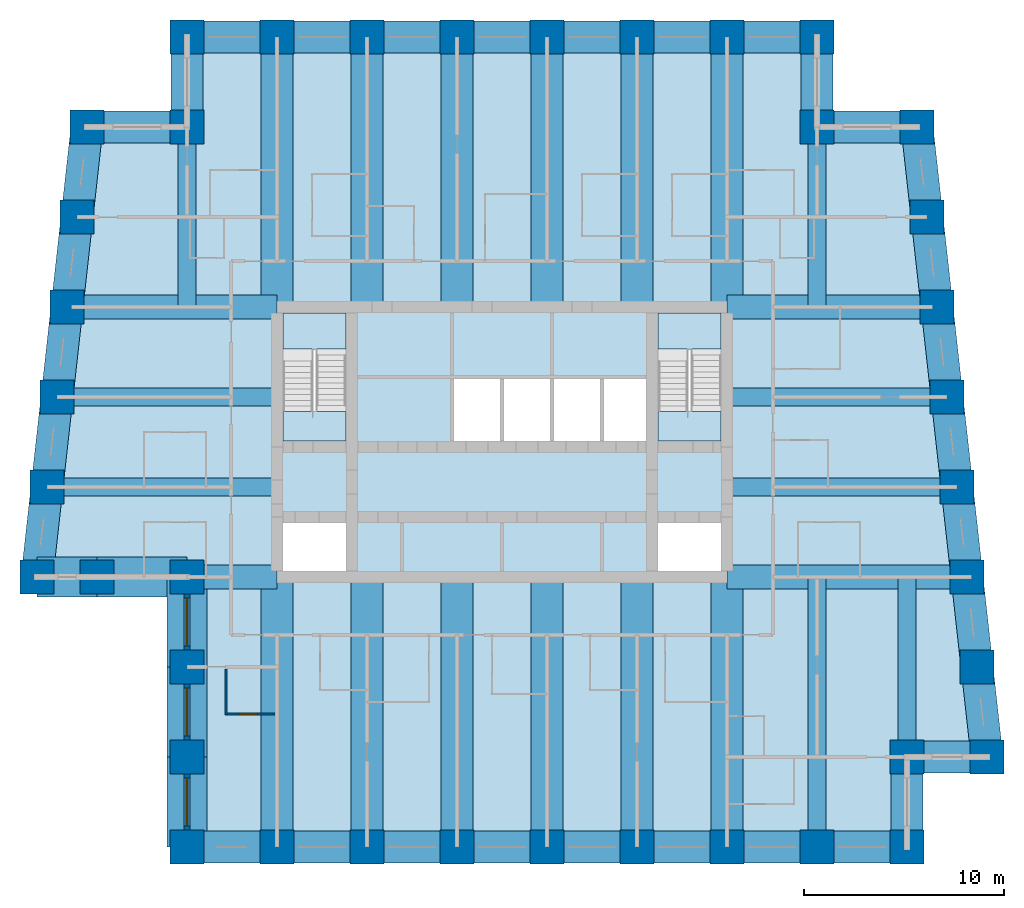
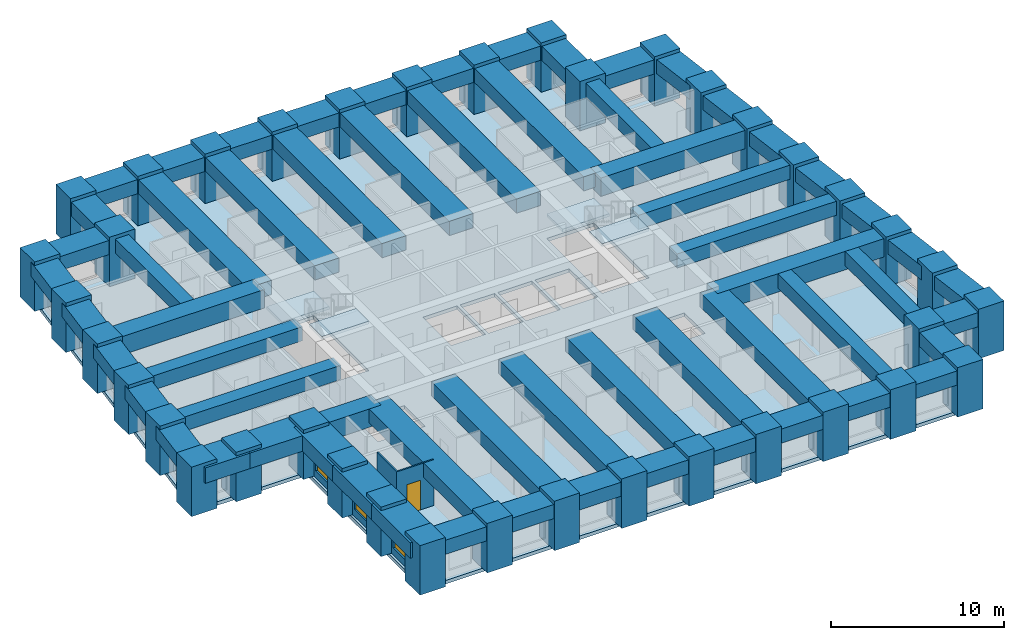
# One storey, part 1 of 8: 62 beams, 38 columns, 5 slabs, 3 walls, 3 windows, 1 door, 4 openings, 2 elements without a shape of their own.
"""IFC4 building model written with IfcOpenShell, lengths in metres."""

from ifc_helpers import new_model, si_unit, direction, frame, frame_2d, origin, origin_2d, place, context, subcontext, project, spatial, polyline, rectangle, outline, extrude, material, layer, layer_set, material_profile, profile_set, type_object, element, fill, aggregate, save


model = new_model("IFC4")

# Units and contexts
model_context = context("Model", 3, precision=1e-05, world=origin(), true_north=direction((0.0, 1.0)))
body_context = subcontext(model_context, "Body", "Model", "MODEL_VIEW")
ifc_project = project(units=[si_unit("LENGTHUNIT", "METRE"), si_unit("AREAUNIT", "SQUARE_METRE"), si_unit("VOLUMEUNIT", "CUBIC_METRE"), si_unit("PLANEANGLEUNIT", "RADIAN"), si_unit("MASSUNIT", "GRAM", prefix="KILO")], contexts=[model_context])

# Site, building, storey
site_placement = place(None, origin())
site = spatial("IfcSite", under=ifc_project, at=site_placement, CompositionType="ELEMENT")
building_placement = place(site_placement, origin())
building = spatial("IfcBuilding", under=site, at=building_placement, Name="Kilele Tower Hotel", CompositionType="ELEMENT")
storey_placement = place(building_placement, frame((0.0, 0.0, 165.89990234375)))
storey = spatial("IfcBuildingStorey", under=building, at=storey_placement, Name="L42", CompositionType="ELEMENT", Elevation=165.89990234375)

# Columns
ifc_material_1 = material(Name="Concrete C60/75", Category="concrete")
ifc_material_profile_1 = material_profile(ifc_material_1, rectangle(XDim=1.699951171875, YDim=1.699951171875, at=origin_2d()))
ifc_profile_set_1 = profile_set([ifc_material_profile_1], Name="Concrete C60/75")
column_type = type_object("IfcColumnType", Name="Tube column RC 1700x1700 C60/75", PredefinedType="COLUMN", material=ifc_profile_set_1)
for number, where, z_axis, x_axis, name in (
    (1, (1.5, 13.5, 0.0), (0.0, 0.0, 1.0), (1.0, 0.0, 0.0), "Column TC4 L42"),
    (2, (4.5, 13.5, 0.0), (0.0, 0.0, 1.0), (1.0, 0.0, 0.0), "Column TC4 L42"),
    (3, (9.0, 13.5, 0.0), (0.0, 0.0, 1.0), (1.0, 0.0, 0.0), "Column TC4 L42"),
    (4, (9.0, 9.0, 0.0), (0.0, 0.0, 1.0), (1.0, 0.0, 0.0), "Column TC4 L42"),
    (5, (9.0, 4.5, 0.0), (0.0, 0.0, 1.0), (1.0, 0.0, 0.0), "Column TC4 L42"),
    (6, (9.0, 0.0, 0.0), (0.0, 0.0, 1.0), (1.0, 0.0, 0.0), "Column TC4 L42"),
    (7, (13.5, 0.0, 0.0), (0.0, 0.0, 1.0), (1.0, 0.0, 0.0), "Column TC4 L42"),
    (8, (18.0, 0.0, 0.0), (0.0, 0.0, 1.0), (1.0, 0.0, 0.0), "Column TC4 L42"),
    (9, (22.5, 0.0, 0.0), (0.0, 0.0, 1.0), (1.0, 0.0, 0.0), "Column TC4 L42"),
    (10, (27.0, 0.0, 0.0), (0.0, 0.0, 1.0), (1.0, 0.0, 0.0), "Column TC4 L42"),
    (11, (31.5, 0.0, 0.0), (0.0, 0.0, 1.0), (1.0, 0.0, 0.0), "Column TC4 L42"),
    (12, (36.0, 0.0, 0.0), (0.0, 0.0, 1.0), (1.0, 0.0, 0.0), "Column TC4 L42"),
    (13, (40.5, 0.0, 0.0), (0.0, 0.0, 1.0), (1.0, 0.0, 0.0), "Column TC4 L42"),
    (14, (45.0, 0.0, 0.0), (0.0, 0.0, 1.0), (1.0, 0.0, 0.0), "Column TC4 L42"),
    (15, (45.0, 4.5, 0.0), (0.0, 0.0, 1.0), (1.0, 0.0, 0.0), "Column TC4 L42"),
    (16, (49.0, 4.5, 0.0), (0.0, 0.0, 1.0), (1.0, 0.0, 0.0), "Column TC4 L42"),
    (17, (48.5, 9.0, 0.0), (0.0, 0.0, 1.0), (1.0, 0.0, 0.0), "Column TC4 L42"),
    (18, (48.0, 13.5, 0.0), (0.0, 0.0, 1.0), (1.0, 0.0, 0.0), "Column TC4 L42"),
    (19, (47.5, 18.0, 0.0), (0.0, 0.0, 1.0), (1.0, 0.0, 0.0), "Column TC4 L42"),
    (20, (47.0, 22.5, 0.0), (0.0, 0.0, 1.0), (1.0, 0.0, 0.0), "Column TC4 L42"),
    (21, (46.5, 27.0, 0.0), (0.0, 0.0, 1.0), (1.0, 0.0, 0.0), "Column TC4 L42"),
    (22, (46.0, 31.5, 0.0), (0.0, 0.0, 1.0), (1.0, 0.0, 0.0), "Column TC4 L42"),
    (23, (45.5, 36.0, 0.0), (0.0, 0.0, 1.0), (1.0, 0.0, 0.0), "Column TC4 L42"),
    (24, (40.5, 36.0, 0.0), (0.0, 0.0, 1.0), (1.0, 0.0, 0.0), "Column TC4 L42"),
    (25, (40.5, 40.5, 0.0), (0.0, 0.0, 1.0), (1.0, 0.0, 0.0), "Column TC4 L42"),
    (26, (36.0, 40.5, 0.0), (0.0, 0.0, 1.0), (1.0, 0.0, 0.0), "Column TC4 L42"),
    (27, (31.5, 40.5, 0.0), (0.0, 0.0, 1.0), (1.0, 0.0, 0.0), "Column TC4 L42"),
    (28, (27.0, 40.5, 0.0), (0.0, 0.0, 1.0), (1.0, 0.0, 0.0), "Column TC4 L42"),
    (29, (22.5, 40.5, 0.0), (0.0, 0.0, 1.0), (1.0, 0.0, 0.0), "Column TC4 L42"),
    (30, (18.0, 40.5, 0.0), (0.0, 0.0, 1.0), (1.0, 0.0, 0.0), "Column TC4 L42"),
    (31, (13.5, 40.5, 0.0), (0.0, 0.0, 1.0), (1.0, 0.0, 0.0), "Column TC4 L42"),
    (32, (9.0, 40.5, 0.0), (0.0, 0.0, 1.0), (1.0, 0.0, 0.0), "Column TC4 L42"),
    (33, (9.0, 36.0, 0.0), (0.0, 0.0, 1.0), (1.0, 0.0, 0.0), "Column TC4 L42"),
    (34, (4.0, 36.0, 0.0), (0.0, 0.0, 1.0), (1.0, 0.0, 0.0), "Column TC4 L42"),
    (35, (3.5, 31.5, 0.0), (0.0, 0.0, 1.0), (1.0, 0.0, 0.0), "Column TC4 L42"),
    (36, (3.0, 27.0, 0.0), (0.0, 0.0, 1.0), (1.0, 0.0, 0.0), "Column TC4 L42"),
    (37, (2.5, 22.5, 0.0), (0.0, 0.0, 1.0), (1.0, 0.0, 0.0), "Column TC4 L42"),
    (38, (2.0, 18.0, 0.0), (0.0, 0.0, 1.0), (1.0, 0.0, 0.0), "Column TC4 L42"),
):
    element("IfcColumn", number, at=place(storey_placement, frame(where, z_axis=z_axis, x_axis=x_axis)), inside=storey, type_object=column_type, Name=name, PredefinedType="COLUMN", context=body_context, shape_type="SweptSolid", body=[
        extrude(rectangle(XDim=1.699951171875, YDim=1.699951171875, at=origin_2d()), origin(), (0.0, 0.0, 1.0), 3.5),
    ])

# Beams
ifc_material_2 = material(Name="Concrete C60/75", Category="concrete")
ifc_material_profile_2 = material_profile(ifc_material_2, rectangle(XDim=1.60009765625, YDim=1.0, at=origin_2d()))
ifc_profile_set_2 = profile_set([ifc_material_profile_2], Name="Concrete C60/75")
beam_type_1 = type_object("IfcBeamType", Name="Beam RC 1600x1000 C60/75", PredefinedType="BEAM", material=ifc_profile_set_2)
for number, where, z_axis, x_axis, name in (
    (39, (13.5, 0.0, 2.75), (0.0, 1.0, 0.0), (-1.0, 0.0, 0.0), "Beam BC1 level L43"),
    (40, (18.0, 0.0, 2.75), (0.0, 1.0, 0.0), (-1.0, 0.0, 0.0), "Beam BC1 level L43"),
    (41, (22.5, 0.0, 2.75), (0.0, 1.0, 0.0), (-1.0, 0.0, 0.0), "Beam BC1 level L43"),
    (42, (27.0, 0.0, 2.75), (0.0, 1.0, 0.0), (-1.0, 0.0, 0.0), "Beam BC1 level L43"),
    (43, (31.5, 0.0, 2.75), (0.0, 1.0, 0.0), (-1.0, 0.0, 0.0), "Beam BC1 level L43"),
    (44, (36.0, 0.0, 2.75), (0.0, 1.0, 0.0), (-1.0, 0.0, 0.0), "Beam BC1 level L43"),
    (45, (36.0, 40.5, 2.75), (0.0, -1.0, 0.0), (1.0, 0.0, 0.0), "Beam BC1 level L43"),
    (46, (31.5, 40.5, 2.75), (0.0, -1.0, 0.0), (1.0, 0.0, 0.0), "Beam BC1 level L43"),
    (47, (27.0, 40.5, 2.75), (0.0, -1.0, 0.0), (1.0, 0.0, 0.0), "Beam BC1 level L43"),
    (48, (22.5, 40.5, 2.75), (0.0, -1.0, 0.0), (1.0, 0.0, 0.0), "Beam BC1 level L43"),
    (49, (18.0, 40.5, 2.75), (0.0, -1.0, 0.0), (1.0, 0.0, 0.0), "Beam BC1 level L43"),
    (50, (13.5, 40.5, 2.75), (0.0, -1.0, 0.0), (1.0, 0.0, 0.0), "Beam BC1 level L43"),
):
    element("IfcBeam", number, at=place(storey_placement, frame(where, z_axis=z_axis, x_axis=x_axis)), inside=storey, type_object=beam_type_1, Name=name, PredefinedType="BEAM", context=body_context, shape_type="SweptSolid", body=[
        extrude(rectangle(XDim=1.60009765625, YDim=1.0, at=origin_2d()), origin(), (0.0, 0.0, 1.0), 13.5),
    ])
ifc_material_3 = material(Name="Concrete C60/75", Category="concrete")
ifc_material_profile_3 = material_profile(ifc_material_3, rectangle(XDim=0.89990234375, YDim=1.0, at=origin_2d()))
ifc_profile_set_3 = profile_set([ifc_material_profile_3], Name="Concrete C60/75")
beam_type_2 = type_object("IfcBeamType", Name="Beam RC 900x1000 C60/75", PredefinedType="BEAM", material=ifc_profile_set_3)
beam_1_placement = place(storey_placement, frame((40.5, 0.0, 2.75), z_axis=(0.0, 1.0, 0.0), x_axis=(-1.0, 0.0, 0.0)))
element("IfcBeam", 51, at=beam_1_placement, inside=storey, type_object=beam_type_2, Name="Beam B8 level L43", PredefinedType="BEAM", context=body_context, shape_type="SweptSolid", body=[
    extrude(rectangle(XDim=0.89990234375, YDim=1.0, at=origin_2d()), origin(), (0.0, 0.0, 1.0), 13.5),
])
beam_2_placement = place(storey_placement, frame((45.0, 4.5, 2.75), z_axis=(0.0, 1.0, 0.0), x_axis=(-1.0, 0.0, 0.0)))
element("IfcBeam", 52, at=beam_2_placement, inside=storey, type_object=beam_type_2, Name="Beam B8 level L43", PredefinedType="BEAM", context=body_context, shape_type="SweptSolid", body=[
    extrude(rectangle(XDim=0.89990234375, YDim=1.0, at=origin_2d()), origin(), (0.0, 0.0, 1.0), 9.0),
])
beam_3_placement = place(storey_placement, frame((47.5, 18.0, 2.75), z_axis=(-1.0, 0.0, 0.0), x_axis=(0.0, -1.0, 0.0)))
element("IfcBeam", 53, at=beam_3_placement, inside=storey, type_object=beam_type_2, Name="Beam B8 level L43", PredefinedType="BEAM", context=body_context, shape_type="SweptSolid", body=[
    extrude(rectangle(XDim=0.89990234375, YDim=1.0, at=origin_2d()), origin(), (0.0, 0.0, 1.0), 11.5),
])
beam_4_placement = place(storey_placement, frame((47.0, 22.5, 2.75), z_axis=(-1.0, 0.0, 0.0), x_axis=(0.0, -1.0, 0.0)))
element("IfcBeam", 54, at=beam_4_placement, inside=storey, type_object=beam_type_2, Name="Beam B8 level L43", PredefinedType="BEAM", context=body_context, shape_type="SweptSolid", body=[
    extrude(rectangle(XDim=0.89990234375, YDim=1.0, at=origin_2d()), origin(), (0.0, 0.0, 1.0), 11.0),
])
for number, where, z_axis, x_axis, name in (
    (55, (40.5, 36.0, 2.75), (0.0, -1.0, 0.0), (1.0, 0.0, 0.0), "Beam B8 level L43"),
    (56, (9.0, 36.0, 2.75), (0.0, -1.0, 0.0), (1.0, 0.0, 0.0), "Beam B8 level L43"),
):
    element("IfcBeam", number, at=place(storey_placement, frame(where, z_axis=z_axis, x_axis=x_axis)), inside=storey, type_object=beam_type_2, Name=name, PredefinedType="BEAM", context=body_context, shape_type="SweptSolid", body=[
        extrude(rectangle(XDim=0.89990234375, YDim=1.0, at=origin_2d()), origin(), (0.0, 0.0, 1.0), 9.0),
    ])
beam_5_placement = place(storey_placement, frame((2.5, 22.5, 2.75), z_axis=(1.0, 0.0, 0.0), x_axis=(0.0, 1.0, 0.0)))
element("IfcBeam", 57, at=beam_5_placement, inside=storey, type_object=beam_type_2, Name="Beam B8 level L43", PredefinedType="BEAM", context=body_context, shape_type="SweptSolid", body=[
    extrude(rectangle(XDim=0.89990234375, YDim=1.0, at=origin_2d()), origin(), (0.0, 0.0, 1.0), 11.0),
])
beam_6_placement = place(storey_placement, frame((2.0, 18.0, 2.75), z_axis=(1.0, 0.0, 0.0), x_axis=(0.0, 1.0, 0.0)))
element("IfcBeam", 58, at=beam_6_placement, inside=storey, type_object=beam_type_2, Name="Beam B8 level L43", PredefinedType="BEAM", context=body_context, shape_type="SweptSolid", body=[
    extrude(rectangle(XDim=0.89990234375, YDim=1.0, at=origin_2d()), origin(), (0.0, 0.0, 1.0), 11.5),
])
ifc_material_4 = material(Name="Concrete C60/75", Category="concrete")
ifc_material_profile_4 = material_profile(ifc_material_4, rectangle(XDim=1.199951171875, YDim=1.300048828125, at=origin_2d()))
ifc_profile_set_4 = profile_set([ifc_material_profile_4], Name="Concrete C60/75")
beam_type_3 = type_object("IfcBeamType", Name="Girder RC 1200x1300 C60/75", PredefinedType="BEAM", material=ifc_profile_set_4)
beam_7_placement = place(storey_placement, frame((48.0, 13.5, 2.60009765625), z_axis=(-1.0, 0.0, 0.0), x_axis=(0.0, -1.0, 0.0)))
element("IfcBeam", 59, at=beam_7_placement, inside=storey, type_object=beam_type_3, Name="Girder G1 level L43", PredefinedType="BEAM", context=body_context, shape_type="SweptSolid", body=[
    extrude(rectangle(XDim=1.199951171875, YDim=1.300048828125, at=origin_2d()), origin(), (0.0, 0.0, 1.0), 12.0),
])
ifc_material_5 = material(Name="Concrete C60/75", Category="concrete")
ifc_material_profile_5 = material_profile(ifc_material_5, rectangle(XDim=1.199951171875, YDim=1.300048828125, at=origin_2d()))
ifc_profile_set_5 = profile_set([ifc_material_profile_5], Name="Concrete C60/75")
beam_type_4 = type_object("IfcBeamType", Name="Girder RC 1200x1300 C60/75 mid span", PredefinedType="BEAM", material=ifc_profile_set_5)
for number, where, z_axis, x_axis, name in (
    (60, (46.5, 27.0, 2.60009765625), (-1.0, 0.0, 0.0), (0.0, -1.0, 0.0), "Girder G3 level L43"),
    (61, (3.0, 27.0, 2.60009765625), (1.0, 0.0, 0.0), (0.0, 1.0, 0.0), "Girder G3 level L43"),
):
    element("IfcBeam", number, at=place(storey_placement, frame(where, z_axis=z_axis, x_axis=x_axis)), inside=storey, type_object=beam_type_4, Name=name, PredefinedType="BEAM", context=body_context, shape_type="SweptSolid", body=[
        extrude(rectangle(XDim=1.199951171875, YDim=1.300048828125, at=origin_2d()), origin(), (0.0, 0.0, 1.0), 10.5),
    ])
ifc_material_6 = material(Name="Concrete C60/75", Category="concrete")
ifc_material_profile_6 = material_profile(ifc_material_6, rectangle(XDim=1.199951171875, YDim=1.300048828125, at=origin_2d()))
ifc_profile_set_6 = profile_set([ifc_material_profile_6], Name="Concrete C60/75")
beam_type_5 = type_object("IfcBeamType", Name="Girder RC 1200x1300 C60/75 short span", PredefinedType="BEAM", material=ifc_profile_set_6)
beam_8_placement = place(storey_placement, frame((9.0, 13.5, 2.60009765625), z_axis=(1.0, 0.0, 0.0), x_axis=(0.0, 1.0, 0.0)))
element("IfcBeam", 62, at=beam_8_placement, inside=storey, type_object=beam_type_5, Name="Girder G5 level L43", PredefinedType="BEAM", context=body_context, shape_type="SweptSolid", body=[
    extrude(rectangle(XDim=1.199951171875, YDim=1.300048828125, at=origin_2d()), origin(), (0.0, 0.0, 1.0), 4.5),
])
ifc_material_7 = material(Name="Concrete C60/75", Category="concrete")
ifc_material_profile_7 = material_profile(ifc_material_7, rectangle(XDim=1.60009765625, YDim=1.0, at=origin_2d()))
ifc_profile_set_7 = profile_set([ifc_material_profile_7], Name="Concrete C60/75")
beam_type_6 = type_object("IfcBeamType", Name="Spandrel RC 1600x1000 C60/75", PredefinedType="SPANDREL", material=ifc_profile_set_7)
for number, where, z_axis, x_axis, name in (
    (63, (9.0, 0.0, 2.75), (1.0, 0.0, 0.0), (0.0, 1.0, 0.0), "Spandrel SP2 level L43"),
    (64, (13.5, 0.0, 2.75), (1.0, 0.0, 0.0), (0.0, 1.0, 0.0), "Spandrel SP2 level L43"),
    (65, (18.0, 0.0, 2.75), (1.0, 0.0, 0.0), (0.0, 1.0, 0.0), "Spandrel SP2 level L43"),
    (66, (22.5, 0.0, 2.75), (1.0, 0.0, 0.0), (0.0, 1.0, 0.0), "Spandrel SP2 level L43"),
    (67, (27.0, 0.0, 2.75), (1.0, 0.0, 0.0), (0.0, 1.0, 0.0), "Spandrel SP2 level L43"),
    (68, (31.5, 0.0, 2.75), (1.0, 0.0, 0.0), (0.0, 1.0, 0.0), "Spandrel SP2 level L43"),
    (69, (36.0, 0.0, 2.75), (1.0, 0.0, 0.0), (0.0, 1.0, 0.0), "Spandrel SP2 level L43"),
    (70, (40.5, 0.0, 2.75), (1.0, 0.0, 0.0), (0.0, 1.0, 0.0), "Spandrel SP2 level L43"),
    (71, (45.0, 0.0, 2.75), (0.0, 1.0, 0.0), (-1.0, 0.0, 0.0), "Spandrel SP2 level L43"),
):
    element("IfcBeam", number, at=place(storey_placement, frame(where, z_axis=z_axis, x_axis=x_axis)), inside=storey, type_object=beam_type_6, Name=name, PredefinedType="SPANDREL", context=body_context, shape_type="SweptSolid", body=[
        extrude(rectangle(XDim=1.60009765625, YDim=1.0, at=origin_2d()), origin(), (0.0, 0.0, 1.0), 4.5),
    ])
beam_9_placement = place(storey_placement, frame((45.0, 4.5, 2.75), z_axis=(1.0, 0.0, 0.0), x_axis=(0.0, 1.0, 0.0)))
element("IfcBeam", 72, at=beam_9_placement, inside=storey, type_object=beam_type_6, Name="Spandrel SP2 level L43", PredefinedType="SPANDREL", context=body_context, shape_type="SweptSolid", body=[
    extrude(rectangle(XDim=1.60009765625, YDim=1.0, at=origin_2d()), origin(), (0.0, 0.0, 1.0), 4.0),
])
for number, where, z_axis, x_axis, name in (
    (73, (49.0, 4.5, 2.75), (-0.110431526075, 0.993883734674, 0.0), (-0.993883734674, -0.110431526075, 0.0), "Spandrel SP2 level L43"),
    (74, (48.5, 9.0, 2.75), (-0.110431526075, 0.993883734674, 0.0), (-0.993883734674, -0.110431526075, 0.0), "Spandrel SP2 level L43"),
    (75, (48.0, 13.5, 2.75), (-0.110431526075, 0.993883734674, 0.0), (-0.993883734674, -0.110431526075, 0.0), "Spandrel SP2 level L43"),
    (76, (47.5, 18.0, 2.75), (-0.110431526075, 0.993883734674, 0.0), (-0.993883734674, -0.110431526075, 0.0), "Spandrel SP2 level L43"),
    (77, (47.0, 22.5, 2.75), (-0.110431526075, 0.993883734674, 0.0), (-0.993883734674, -0.110431526075, 0.0), "Spandrel SP2 level L43"),
    (78, (46.5, 27.0, 2.75), (-0.110431526075, 0.993883734674, 0.0), (-0.993883734674, -0.110431526075, 0.0), "Spandrel SP2 level L43"),
    (79, (46.0, 31.5, 2.75), (-0.110431526075, 0.993883734674, 0.0), (-0.993883734674, -0.110431526075, 0.0), "Spandrel SP2 level L43"),
):
    element("IfcBeam", number, at=place(storey_placement, frame(where, z_axis=z_axis, x_axis=x_axis)), inside=storey, type_object=beam_type_6, Name=name, PredefinedType="SPANDREL", context=body_context, shape_type="SweptSolid", body=[
        extrude(rectangle(XDim=1.60009765625, YDim=1.0, at=origin_2d()), origin(), (0.0, 0.0, 1.0), 4.527587890625),
    ])
beam_10_placement = place(storey_placement, frame((45.5, 36.0, 2.75), z_axis=(-1.0, 0.0, 0.0), x_axis=(0.0, -1.0, 0.0)))
element("IfcBeam", 80, at=beam_10_placement, inside=storey, type_object=beam_type_6, Name="Spandrel SP2 level L43", PredefinedType="SPANDREL", context=body_context, shape_type="SweptSolid", body=[
    extrude(rectangle(XDim=1.60009765625, YDim=1.0, at=origin_2d()), origin(), (0.0, 0.0, 1.0), 5.0),
])
for number, where, z_axis, x_axis, name in (
    (81, (40.5, 36.0, 2.75), (0.0, 1.0, 0.0), (-1.0, 0.0, 0.0), "Spandrel SP2 level L43"),
    (82, (40.5, 40.5, 2.75), (-1.0, 0.0, 0.0), (0.0, -1.0, 0.0), "Spandrel SP2 level L43"),
    (83, (36.0, 40.5, 2.75), (-1.0, 0.0, 0.0), (0.0, -1.0, 0.0), "Spandrel SP2 level L43"),
    (84, (31.5, 40.5, 2.75), (-1.0, 0.0, 0.0), (0.0, -1.0, 0.0), "Spandrel SP2 level L43"),
    (85, (27.0, 40.5, 2.75), (-1.0, 0.0, 0.0), (0.0, -1.0, 0.0), "Spandrel SP2 level L43"),
    (86, (22.5, 40.5, 2.75), (-1.0, 0.0, 0.0), (0.0, -1.0, 0.0), "Spandrel SP2 level L43"),
    (87, (18.0, 40.5, 2.75), (-1.0, 0.0, 0.0), (0.0, -1.0, 0.0), "Spandrel SP2 level L43"),
    (88, (13.5, 40.5, 2.75), (-1.0, 0.0, 0.0), (0.0, -1.0, 0.0), "Spandrel SP2 level L43"),
    (89, (9.0, 40.5, 2.75), (0.0, -1.0, 0.0), (1.0, 0.0, 0.0), "Spandrel SP2 level L43"),
):
    element("IfcBeam", number, at=place(storey_placement, frame(where, z_axis=z_axis, x_axis=x_axis)), inside=storey, type_object=beam_type_6, Name=name, PredefinedType="SPANDREL", context=body_context, shape_type="SweptSolid", body=[
        extrude(rectangle(XDim=1.60009765625, YDim=1.0, at=origin_2d()), origin(), (0.0, 0.0, 1.0), 4.5),
    ])
beam_11_placement = place(storey_placement, frame((9.0, 36.0, 2.75), z_axis=(-1.0, 0.0, 0.0), x_axis=(0.0, -1.0, 0.0)))
element("IfcBeam", 90, at=beam_11_placement, inside=storey, type_object=beam_type_6, Name="Spandrel SP2 level L43", PredefinedType="SPANDREL", context=body_context, shape_type="SweptSolid", body=[
    extrude(rectangle(XDim=1.60009765625, YDim=1.0, at=origin_2d()), origin(), (0.0, 0.0, 1.0), 5.0),
])
for number, where, z_axis, x_axis, name in (
    (91, (4.0, 36.0, 2.75), (-0.110431526075, -0.993883734674, 0.0), (0.993883734674, -0.110431526075, 0.0), "Spandrel SP2 level L43"),
    (92, (3.5, 31.5, 2.75), (-0.110431526075, -0.993883734674, 0.0), (0.993883734674, -0.110431526075, 0.0), "Spandrel SP2 level L43"),
    (93, (3.0, 27.0, 2.75), (-0.110431526075, -0.993883734674, 0.0), (0.993883734674, -0.110431526075, 0.0), "Spandrel SP2 level L43"),
    (94, (2.5, 22.5, 2.75), (-0.110431526075, -0.993883734674, 0.0), (0.993883734674, -0.110431526075, 0.0), "Spandrel SP2 level L43"),
    (95, (2.0, 18.0, 2.75), (-0.110431526075, -0.993883734674, 0.0), (0.993883734674, -0.110431526075, 0.0), "Spandrel SP2 level L43"),
):
    element("IfcBeam", number, at=place(storey_placement, frame(where, z_axis=z_axis, x_axis=x_axis)), inside=storey, type_object=beam_type_6, Name=name, PredefinedType="SPANDREL", context=body_context, shape_type="SweptSolid", body=[
        extrude(rectangle(XDim=1.60009765625, YDim=1.0, at=origin_2d()), origin(), (0.0, 0.0, 1.0), 4.527587890625),
    ])
ifc_material_8 = material(Name="Concrete C60/75", Category="concrete")
ifc_material_profile_8 = material_profile(ifc_material_8, rectangle(XDim=2.0, YDim=1.10009765625, at=origin_2d()))
ifc_profile_set_8 = profile_set([ifc_material_profile_8], Name="Concrete C60/75")
beam_type_7 = type_object("IfcBeamType", Name="Spandrel RC 2000x1100 C60/75", PredefinedType="SPANDREL", material=ifc_profile_set_8)
beam_12_placement = place(storey_placement, frame((1.5, 13.5, 2.7001953125), z_axis=(1.0, 0.0, 0.0), x_axis=(0.0, 1.0, 0.0)))
element("IfcBeam", 96, at=beam_12_placement, inside=storey, type_object=beam_type_7, Name="Spandrel SP5 level L43", PredefinedType="SPANDREL", context=body_context, shape_type="SweptSolid", body=[
    extrude(rectangle(XDim=2.0, YDim=1.10009765625, at=origin_2d()), origin(), (0.0, 0.0, 1.0), 3.0),
])
for number, where, z_axis, x_axis, name in (
    (97, (4.5, 13.5, 2.7001953125), (1.0, 0.0, 0.0), (0.0, 1.0, 0.0), "Spandrel SP5 level L43"),
    (98, (9.0, 13.5, 2.7001953125), (0.0, -1.0, 0.0), (1.0, 0.0, 0.0), "Spandrel SP5 level L43"),
    (99, (9.0, 9.0, 2.7001953125), (0.0, -1.0, 0.0), (1.0, 0.0, 0.0), "Spandrel SP5 level L43"),
    (100, (9.0, 4.5, 2.7001953125), (0.0, -1.0, 0.0), (1.0, 0.0, 0.0), "Spandrel SP5 level L43"),
):
    element("IfcBeam", number, at=place(storey_placement, frame(where, z_axis=z_axis, x_axis=x_axis)), inside=storey, type_object=beam_type_7, Name=name, PredefinedType="SPANDREL", context=body_context, shape_type="SweptSolid", body=[
        extrude(rectangle(XDim=2.0, YDim=1.10009765625, at=origin_2d()), origin(), (0.0, 0.0, 1.0), 4.5),
    ])

# Slab
ifc_material_9 = material(Name="Concrete C60/75", Category="concrete")
ifc_layer_1 = layer(ifc_material_9, 0.25)
ifc_layer_set_1 = layer_set([ifc_layer_1], Name="Concrete C60/75")
slab_type_1 = type_object("IfcSlabType", Name="Floor slab 250", PredefinedType="FLOOR", material=ifc_layer_set_1)
slab_1_placement = place(storey_placement, frame((0.0, 0.0, -0.25)))
element("IfcSlab", 101, at=slab_1_placement, inside=storey, type_object=slab_type_1, Name="Floor slab L42", PredefinedType="FLOOR", context=body_context, shape_type="SweptSolid", body=[
    extrude(outline(polyline([(8.699951171875, 36.300048828125), (8.699951171875, 40.800048828125), (40.800048828125, 40.800048828125), (40.800048828125, 36.300048828125), (45.7685546875, 36.300048828125), (49.335205078125, 4.199951171875), (45.300048828125, 4.199951171875), (45.300048828125, -0.300048828125), (8.699951171875, -0.300048828125), (8.699951171875, 13.199951171875), (1.164794921875, 13.199951171875), (3.7314453125, 36.300048828125), (8.699951171875, 36.300048828125)]), holes=[polyline([(16.949951171875, 16.199951171875), (13.800048828125, 16.199951171875), (13.800048828125, 13.800048828125), (16.949951171875, 13.800048828125), (16.949951171875, 16.199951171875)]), polyline([(35.699951171875, 16.199951171875), (32.550048828125, 16.199951171875), (32.550048828125, 13.800048828125), (35.699951171875, 13.800048828125), (35.699951171875, 16.199951171875)]), polyline([(24.64990234375, 23.39990234375), (22.35009765625, 23.39990234375), (22.35009765625, 20.10009765625), (24.64990234375, 20.10009765625), (24.64990234375, 23.39990234375)]), polyline([(27.14990234375, 23.39990234375), (24.85009765625, 23.39990234375), (24.85009765625, 20.10009765625), (27.14990234375, 20.10009765625), (27.14990234375, 23.39990234375)]), polyline([(29.64990234375, 23.39990234375), (27.35009765625, 23.39990234375), (27.35009765625, 20.10009765625), (29.64990234375, 20.10009765625), (29.64990234375, 23.39990234375)]), polyline([(32.14990234375, 23.39990234375), (29.85009765625, 23.39990234375), (29.85009765625, 20.10009765625), (32.14990234375, 20.10009765625), (32.14990234375, 23.39990234375)]), polyline([(16.949951171875, 26.699951171875), (13.800048828125, 26.699951171875), (13.800048828125, 20.300048828125), (16.949951171875, 20.300048828125), (16.949951171875, 26.699951171875)]), polyline([(35.699951171875, 26.699951171875), (32.550048828125, 26.699951171875), (32.550048828125, 20.300048828125), (35.699951171875, 20.300048828125), (35.699951171875, 26.699951171875)])]), origin(), (0.0, 0.0, 1.0), 0.25),
])

# Stair, slabs
ifc_material_10 = material(Name="Precast concrete C40/50", Category="concrete")
stair_type = type_object("IfcStairType", Name="Stair 1475 x 3500", PredefinedType="HALF_TURN_STAIR", material=ifc_material_10)
stair_1_placement = place(storey_placement, origin())
stair_1 = element("IfcStair", 102, at=stair_1_placement, inside=storey, type_object=stair_type, Name="Stair 1 L42", PredefinedType="HALF_TURN_STAIR")
ifc_material_11 = material(Name="Precast concrete C40/50", Category="concrete")
ifc_layer_2 = layer(ifc_material_11, 0.199951171875)
ifc_layer_set_2 = layer_set([ifc_layer_2], Name="Precast concrete C40/50")
slab_type_2 = type_object("IfcSlabType", Name="Stair landing 200", PredefinedType="LANDING", material=ifc_layer_set_2)
slab_2_placement = place(storey_placement, frame((0.0, 0.0, 1.550048828125)))
slab_2 = element("IfcSlab", 103, at=slab_2_placement, type_object=slab_type_2, Name="ST1 landing 1", PredefinedType="LANDING", context=body_context, shape_type="SweptSolid", body=[
    extrude(outline(polyline([(13.800048828125, 24.89501953125), (16.949951171875, 24.89501953125), (16.949951171875, 26.699951171875), (13.800048828125, 26.699951171875), (13.800048828125, 24.89501953125)])), origin(), (0.0, 0.0, 1.0), 0.199951171875),
])
slab_3_placement = place(storey_placement, frame((0.0, 0.0, 3.300048828125)))
slab_3 = element("IfcSlab", 104, at=slab_3_placement, type_object=slab_type_2, Name="ST1 landing 2", PredefinedType="LANDING", context=body_context, shape_type="SweptSolid", body=[
    extrude(outline(polyline([(13.800048828125, 20.300048828125), (16.949951171875, 20.300048828125), (16.949951171875, 21.77490234375), (13.800048828125, 21.77490234375), (13.800048828125, 20.300048828125)])), origin(), (0.0, 0.0, 1.0), 0.199951171875),
])
aggregate(stair_1, [slab_2, slab_3])

stair_2_placement = place(storey_placement, origin())
stair_2 = element("IfcStair", 105, at=stair_2_placement, inside=storey, type_object=stair_type, Name="Stair 2 L42", PredefinedType="HALF_TURN_STAIR")
slab_4_placement = place(storey_placement, frame((0.0, 0.0, 1.550048828125)))
slab_4 = element("IfcSlab", 106, at=slab_4_placement, type_object=slab_type_2, Name="ST2 landing 1", PredefinedType="LANDING", context=body_context, shape_type="SweptSolid", body=[
    extrude(outline(polyline([(32.550048828125, 24.89501953125), (35.699951171875, 24.89501953125), (35.699951171875, 26.699951171875), (32.550048828125, 26.699951171875), (32.550048828125, 24.89501953125)])), origin(), (0.0, 0.0, 1.0), 0.199951171875),
])
slab_5_placement = place(storey_placement, frame((0.0, 0.0, 3.300048828125)))
slab_5 = element("IfcSlab", 107, at=slab_5_placement, type_object=slab_type_2, Name="ST2 landing 2", PredefinedType="LANDING", context=body_context, shape_type="SweptSolid", body=[
    extrude(outline(polyline([(32.550048828125, 20.300048828125), (35.699951171875, 20.300048828125), (35.699951171875, 21.77490234375), (32.550048828125, 21.77490234375), (32.550048828125, 20.300048828125)])), origin(), (0.0, 0.0, 1.0), 0.199951171875),
])
aggregate(stair_2, [slab_4, slab_5])

# Wall
ifc_material_12 = material(Name="Moisture-resistant board")
ifc_layer_3 = layer(ifc_material_12, 0.10009765625)
ifc_layer_set_3 = layer_set([ifc_layer_3], Name="Moisture-resistant board")
wall_type_1 = type_object("IfcWallType", Name="Bathroom partition 100", PredefinedType="PLUMBINGWALL", material=ifc_layer_set_3)
wall_1_placement = place(storey_placement, frame((10.949951171875, 8.89990234375, 0.0), z_axis=(0.0, 0.0, 1.0), x_axis=(0.0, -1.0, 0.0)))
element("IfcWall", 108, at=wall_1_placement, inside=storey, type_object=wall_type_1, Name="Bathroom partition 100 L42", PredefinedType="PLUMBINGWALL", context=body_context, shape_type="SweptSolid", body=[
    extrude(rectangle(XDim=2.2998046875, YDim=0.10009765625, at=frame_2d((1.14990234375, 0.0))), origin(), (0.0, 0.0, 1.0), 3.25),
])

# Wall, opening, door
wall_2_placement = place(storey_placement, frame((13.39990234375, 6.64990234375, 0.0), z_axis=(0.0, 0.0, 1.0), x_axis=(-1.0, 0.0, 0.0)))
wall_2 = element("IfcWall", 109, at=wall_2_placement, inside=storey, type_object=wall_type_1, Name="Bathroom partition 100 L42", PredefinedType="PLUMBINGWALL", context=body_context, shape_type="SweptSolid", body=[
    extrude(rectangle(XDim=2.5, YDim=0.10009765625, at=frame_2d((1.25, 0.0))), origin(), (0.0, 0.0, 1.0), 3.25),
])
opening_1_placement = place(wall_2_placement, frame((0.89990234375, 0.0, 0.0)))
opening_1 = element("IfcOpeningElement", 110, at=opening_1_placement, cuts=wall_2, Name="Opening D2A", PredefinedType="OPENING", context=body_context, shape_type="SweptSolid", body=[
    extrude(rectangle(XDim=0.89990234375, YDim=2.10009765625, at=frame_2d((0.449951171875, 1.050048828125))), frame((0.0, 0.06005859375, 0.0), z_axis=(0.0, -1.0, 0.0), x_axis=(1.0, 0.0, 0.0)), (0.0, 0.0, 1.0), 0.1201171875),
])
ifc_material_13 = material(Name="Timber door leaf in hardwood frame", Category="wood")
door_type = type_object("IfcDoorType", Name="Bathroom door 900", OperationType="SINGLE_SWING_LEFT", PredefinedType="DOOR", material=ifc_material_13)
door_placement = place(opening_1_placement, origin())
door = element("IfcDoor", 111, at=door_placement, inside=storey, type_object=door_type, Name="Bathroom door 4218B", OperationType="SINGLE_SWING_LEFT", OverallHeight=2.10009765625, OverallWidth=0.89990234375, PredefinedType="DOOR", context=body_context, shape_type="SweptSolid", body=[
    extrude(rectangle(XDim=0.89990234375, YDim=2.10009765625, at=frame_2d((0.449951171875, 1.050048828125))), frame((0.0, 0.02490234375, 0.0), z_axis=(0.0, -1.0, 0.0), x_axis=(1.0, 0.0, 0.0)), (0.0, 0.0, 1.0), 0.050048828125),
])
fill(opening_1, door)

# Wall, openings, windows
ifc_material_14 = material(Name="Concrete C40/50 precast", Category="concrete")
ifc_layer_4 = layer(ifc_material_14, 0.260009765625, Name="Precast backing", Category="LoadBearing")
ifc_material_15 = material(Name="Reconstituted stone finish", Category="masonry")
ifc_layer_5 = layer(ifc_material_15, 0.0400390625, Name="Face mix", Category="Finish")
ifc_layer_set_4 = layer_set([ifc_layer_4, ifc_layer_5], Name="Precast concrete C40/50, reconstituted stone finish")
wall_type_2 = type_object("IfcWallType", Name="Precast stone facade wall 300", PredefinedType="STANDARD", material=ifc_layer_set_4)
wall_3_placement = place(storey_placement, frame((9.0, 13.64990234375, 0.0), z_axis=(0.0, 0.0, 1.0), x_axis=(0.0, -1.0, 0.0)))
wall_3 = element("IfcWall", 112, at=wall_3_placement, inside=storey, type_object=wall_type_2, Name="Facade wall L42 edge 2", PredefinedType="STANDARD", context=body_context, shape_type="SweptSolid", body=[
    extrude(rectangle(XDim=13.7998046875, YDim=0.300048828125, at=frame_2d((6.89990234375, 0.0))), origin(), (0.0, 0.0, 1.0), 2.150146484375),
])
opening_2_placement = place(wall_3_placement, frame((1.199951171875, 0.0, 0.5)))
opening_2 = element("IfcOpeningElement", 113, at=opening_2_placement, cuts=wall_3, Name="Opening W3", PredefinedType="OPENING", context=body_context, shape_type="SweptSolid", body=[
    extrude(rectangle(XDim=2.39990234375, YDim=1.5, at=frame_2d((1.199951171875, 0.75))), frame((0.0, 0.159912109375, 0.0), z_axis=(0.0, -1.0, 0.0), x_axis=(1.0, 0.0, 0.0)), (0.0, 0.0, 1.0), 0.320068359375),
])
opening_3_placement = place(wall_3_placement, frame((5.699951171875, 0.0, 0.5)))
opening_3 = element("IfcOpeningElement", 114, at=opening_3_placement, cuts=wall_3, Name="Opening W3", PredefinedType="OPENING", context=body_context, shape_type="SweptSolid", body=[
    extrude(rectangle(XDim=2.39990234375, YDim=1.5, at=frame_2d((1.199951171875, 0.75))), frame((0.0, 0.159912109375, 0.0), z_axis=(0.0, -1.0, 0.0), x_axis=(1.0, 0.0, 0.0)), (0.0, 0.0, 1.0), 0.320068359375),
])
opening_4_placement = place(wall_3_placement, frame((10.199951171875, 0.0, 0.5)))
opening_4 = element("IfcOpeningElement", 115, at=opening_4_placement, cuts=wall_3, Name="Opening W3", PredefinedType="OPENING", context=body_context, shape_type="SweptSolid", body=[
    extrude(rectangle(XDim=2.39990234375, YDim=1.5, at=frame_2d((1.199951171875, 0.75))), frame((0.0, 0.159912109375, 0.0), z_axis=(0.0, -1.0, 0.0), x_axis=(1.0, 0.0, 0.0)), (0.0, 0.0, 1.0), 0.320068359375),
])
ifc_material_16 = material(Name="Aluminium frame, clear double glazing", Category="aluminium")
window_type = type_object("IfcWindowType", Name="Window W3 2400 x 1500", PartitioningType="SINGLE_PANEL", PredefinedType="WINDOW", material=ifc_material_16)
window_1_placement = place(opening_2_placement, origin())
window_1 = element("IfcWindow", 116, at=window_1_placement, inside=storey, type_object=window_type, Name="Window L42", OverallHeight=1.5, OverallWidth=2.39990234375, PartitioningType="SINGLE_PANEL", PredefinedType="WINDOW", context=body_context, shape_type="SweptSolid", body=[
    extrude(rectangle(XDim=2.39990234375, YDim=1.5, at=frame_2d((1.199951171875, 0.75))), frame((0.0, 0.030029296875, 0.0), z_axis=(0.0, -1.0, 0.0), x_axis=(1.0, 0.0, 0.0)), (0.0, 0.0, 1.0), 0.06005859375),
])
fill(opening_2, window_1)
window_2_placement = place(opening_3_placement, origin())
window_2 = element("IfcWindow", 117, at=window_2_placement, inside=storey, type_object=window_type, Name="Window L42", OverallHeight=1.5, OverallWidth=2.39990234375, PartitioningType="SINGLE_PANEL", PredefinedType="WINDOW", context=body_context, shape_type="SweptSolid", body=[
    extrude(rectangle(XDim=2.39990234375, YDim=1.5, at=frame_2d((1.199951171875, 0.75))), frame((0.0, 0.030029296875, 0.0), z_axis=(0.0, -1.0, 0.0), x_axis=(1.0, 0.0, 0.0)), (0.0, 0.0, 1.0), 0.06005859375),
])
fill(opening_3, window_2)
window_3_placement = place(opening_4_placement, origin())
window_3 = element("IfcWindow", 118, at=window_3_placement, inside=storey, type_object=window_type, Name="Window L42", OverallHeight=1.5, OverallWidth=2.39990234375, PartitioningType="SINGLE_PANEL", PredefinedType="WINDOW", context=body_context, shape_type="SweptSolid", body=[
    extrude(rectangle(XDim=2.39990234375, YDim=1.5, at=frame_2d((1.199951171875, 0.75))), frame((0.0, 0.030029296875, 0.0), z_axis=(0.0, -1.0, 0.0), x_axis=(1.0, 0.0, 0.0)), (0.0, 0.0, 1.0), 0.06005859375),
])
fill(opening_4, window_3)

save(model, "model.ifc")
